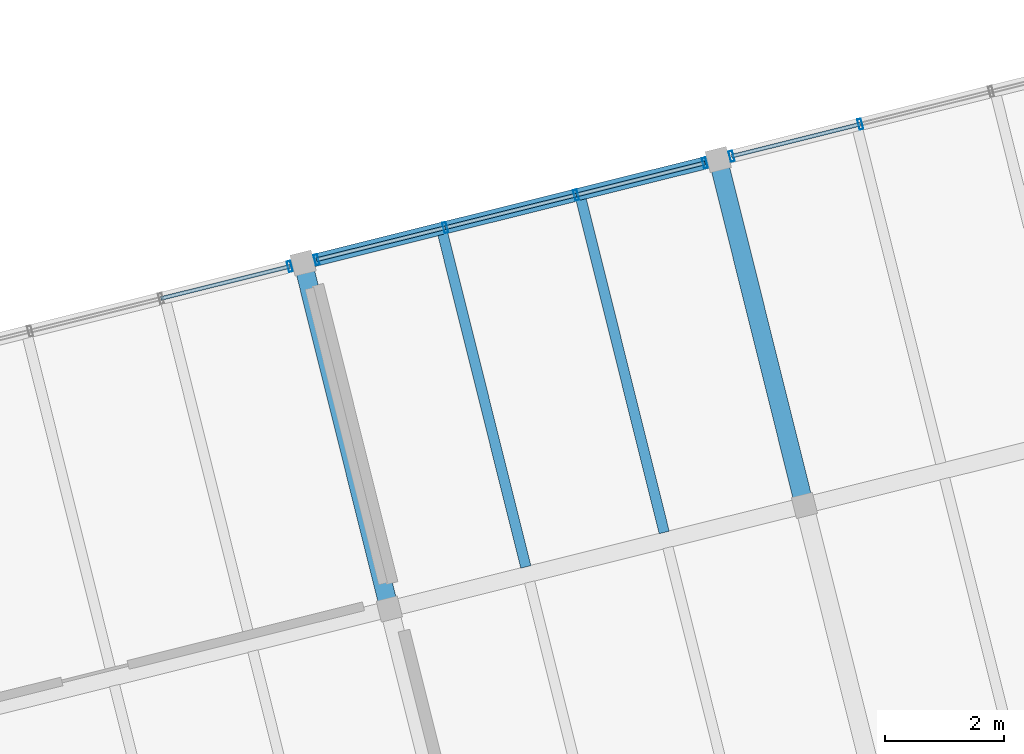
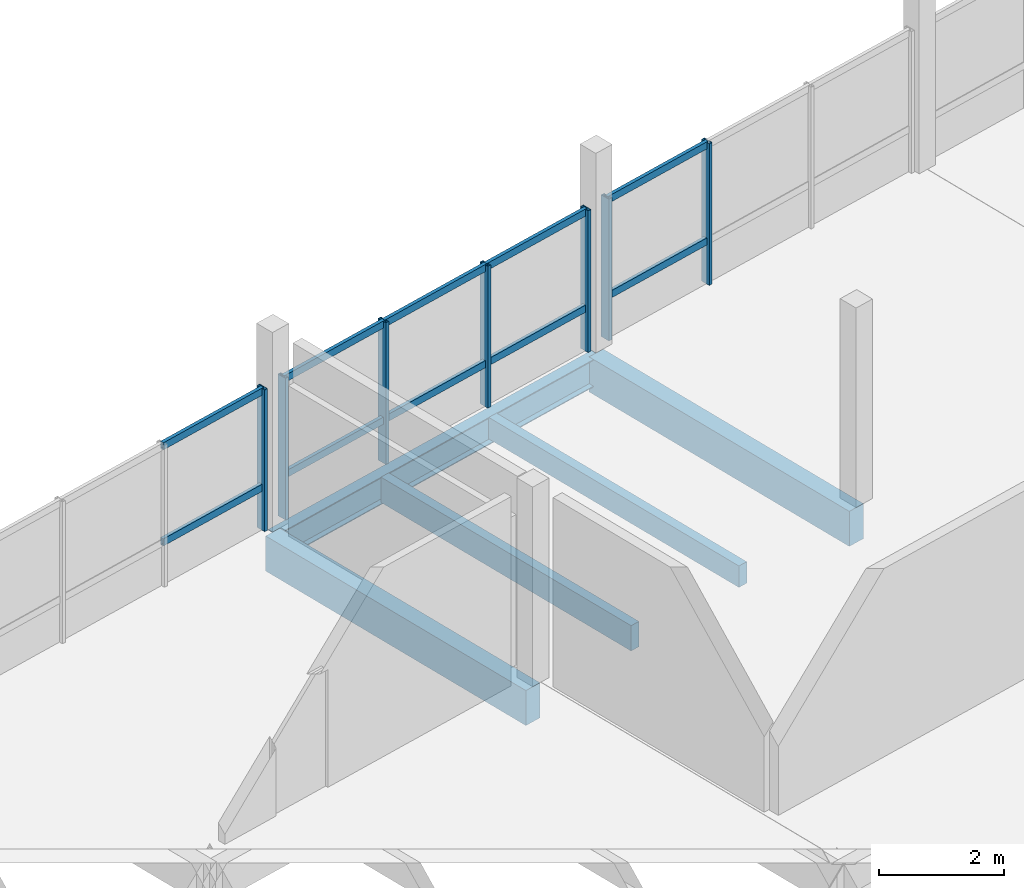
# One storey, part 16 of 26: 17 members, 5 beams, 3 elements without a shape of their own.
"""IFC4 building model written with IfcOpenShell, lengths in metres."""

from ifc_helpers import new_model, si_unit, direction, frame, origin, origin_2d, place, context, subcontext, project, spatial, rectangle, hollow_rectangle, i_section, extrude, material, layer, layer_set, material_profile, profile_set, type_object, element, aggregate, save


model = new_model("IFC4")

# Units and contexts
model_context = context("Model", 3, precision=1e-05, world=origin(), true_north=direction((0.0, 1.0)))
body_context = subcontext(model_context, "Body", "Model", "MODEL_VIEW")
ifc_project = project(units=[si_unit("LENGTHUNIT", "METRE"), si_unit("AREAUNIT", "SQUARE_METRE"), si_unit("VOLUMEUNIT", "CUBIC_METRE"), si_unit("PLANEANGLEUNIT", "RADIAN"), si_unit("MASSUNIT", "GRAM", prefix="KILO")], contexts=[model_context])

# Site, building, storey
site_placement = place(None, origin())
site = spatial("IfcSite", under=ifc_project, at=site_placement, CompositionType="ELEMENT")
building_placement = place(site_placement, origin())
building = spatial("IfcBuilding", under=site, at=building_placement, Name="Meriwether Solvik Hall", CompositionType="ELEMENT")
storey_placement = place(building_placement, frame((0.0, 0.0, 41.699951171875)))
storey = spatial("IfcBuildingStorey", under=building, at=storey_placement, Name="L10", CompositionType="ELEMENT", Elevation=41.699951171875)

# Beams
ifc_material_1 = material(Name="Glulam Douglas-Fir 24F-V8 GL28h", Category="wood")
ifc_material_profile_1 = material_profile(ifc_material_1, rectangle(XDim=0.31494140625, YDim=0.68505859375, at=origin_2d()), Name="GLB-315X685")
ifc_profile_set_1 = profile_set([ifc_material_profile_1], Name="Glulam Douglas-Fir 24F-V8 GL28h")
beam_type_1 = type_object("IfcBeamType", Name="BM-GL-315X685", PredefinedType="BEAM", material=ifc_profile_set_1)
for number, where, z_axis, x_axis, name in (
    (1, (76.1865234375, 71.94873046875, -0.5224609375), (-0.241903677572, 0.970300268359, 0.0), (-0.970300268359, -0.241903677572, 0.0), "Tower Girder T3:TE-TF (L10)"),
    (2, (83.172607421875, 73.690673828125, -0.5224609375), (-0.241903677572, 0.970300268359, 0.0), (-0.970300268359, -0.241903677572, 0.0), "Tower Girder T4:TE-TF (L10)"),
):
    element("IfcBeam", number, at=place(storey_placement, frame(where, z_axis=z_axis, x_axis=x_axis)), inside=storey, type_object=beam_type_1, Name=name, PredefinedType="BEAM", context=body_context, shape_type="SweptSolid", body=[
        extrude(rectangle(XDim=0.31494140625, YDim=0.68505859375, at=origin_2d()), origin(), (0.0, 0.0, 1.0), 6.0),
    ])
ifc_material_2 = material(Name="Steel A992 Grade 50", Category="steel")
ifc_material_profile_2 = material_profile(ifc_material_2, i_section(OverallWidth=0.2099609375, OverallDepth=0.537109375, WebThickness=0.010986328125, FlangeThickness=0.017333984375, at=origin_2d()), Name="W21X68")
ifc_profile_set_2 = profile_set([ifc_material_profile_2], Name="Steel A992 Grade 50")
beam_type_2 = type_object("IfcBeamType", Name="BM-STL-W21X68", PredefinedType="SPANDREL", material=ifc_profile_set_2)
beam_1_placement = place(storey_placement, frame((74.735107421875, 77.7705078125, -0.448486328125), z_axis=(0.970291911955, 0.241937193493, 0.0), x_axis=(-0.241937193493, 0.970291911955, 0.0)))
element("IfcBeam", 3, at=beam_1_placement, inside=storey, type_object=beam_type_2, Name="Tower Girder TF:T3-T4 (L10)", PredefinedType="SPANDREL", context=body_context, shape_type="SweptSolid", body=[
    extrude(i_section(OverallWidth=0.2099609375, OverallDepth=0.537109375, WebThickness=0.010986328125, FlangeThickness=0.017333984375, at=origin_2d()), origin(), (0.0, 0.0, 1.0), 7.199951171875),
])

# Curtain wall, member
ifc_material_3 = material(Name="Thermally Broken Anodised Aluminium 6063-T6 and Low-E Glass", Category="aluminium")
ifc_layer_1 = layer(ifc_material_3, 0.179931640625)
ifc_layer_set_1 = layer_set([ifc_layer_1], Name="Thermally Broken Anodised Aluminium 6063-T6 and Low-E Glass")
curtain_wall_type_1 = type_object("IfcCurtainWallType", Name="CW-UNIT-A", PredefinedType="USERDEFINED", material=ifc_layer_set_1)
curtain_wall_1_placement = place(storey_placement, origin())
curtain_wall_1 = element("IfcCurtainWall", 4, at=curtain_wall_1_placement, inside=storey, type_object=curtain_wall_type_1, Name="Curtain Wall E6_B1 (L10)", ObjectType="UNITISED CURTAIN WALL", PredefinedType="USERDEFINED")
ifc_material_4 = material(Name="Anodised Aluminium 6063-T6", Category="aluminium")
ifc_material_profile_3 = material_profile(ifc_material_4, hollow_rectangle(XDim=0.06494140625, YDim=0.179931640625, WallThickness=0.00439453125, at=origin_2d()), Name="CWM-65X180")
ifc_profile_set_3 = profile_set([ifc_material_profile_3], Name="Anodised Aluminium 6063-T6")
member_type_1 = type_object("IfcMemberType", Name="CW-MUL-65X180", PredefinedType="MULLION", material=ifc_profile_set_3)
member_1_placement = place(storey_placement, frame((74.509521484375, 77.71435546875, 0.0), z_axis=(0.0, 0.0, 1.0), x_axis=(0.970295725693, 0.241921897937, 0.0)))
member_1 = element("IfcMember", 5, at=member_1_placement, type_object=member_type_1, Name="Curtain Wall Mullion 4", PredefinedType="MULLION", context=body_context, shape_type="SweptSolid", body=[
    extrude(hollow_rectangle(XDim=0.06494140625, YDim=0.179931640625, WallThickness=0.00439453125, at=origin_2d()), origin(), (0.0, 0.0, 1.0), 2.77001953125),
])

# Curtain wall, members
ifc_material_5 = material(Name="Thermally Broken Anodised Aluminium 6063-T6 and Low-E Glass", Category="aluminium")
ifc_layer_2 = layer(ifc_material_5, 0.179931640625)
ifc_layer_set_2 = layer_set([ifc_layer_2], Name="Thermally Broken Anodised Aluminium 6063-T6 and Low-E Glass")
curtain_wall_type_2 = type_object("IfcCurtainWallType", Name="CW-UNIT-B", PredefinedType="USERDEFINED", material=ifc_layer_set_2)
curtain_wall_2_placement = place(storey_placement, origin())
curtain_wall_2 = element("IfcCurtainWall", 6, at=curtain_wall_2_placement, inside=storey, type_object=curtain_wall_type_2, Name="Curtain Wall E6_B2 (L10)", ObjectType="UNITISED CURTAIN WALL", PredefinedType="USERDEFINED")
member_2_placement = place(storey_placement, frame((74.960693359375, 77.82666015625, 0.0), z_axis=(0.0, 0.0, 1.0), x_axis=(0.970295725693, 0.241921897937, 0.0)))
member_2 = element("IfcMember", 7, at=member_2_placement, type_object=member_type_1, Name="Curtain Wall Mullion 1", PredefinedType="MULLION", context=body_context, shape_type="SweptSolid", body=[
    extrude(hollow_rectangle(XDim=0.06494140625, YDim=0.179931640625, WallThickness=0.00439453125, at=origin_2d()), origin(), (0.0, 0.0, 1.0), 2.77001953125),
])
member_3_placement = place(storey_placement, frame((77.126708984375, 78.36669921875, 0.0), z_axis=(0.0, 0.0, 1.0), x_axis=(0.970295725693, 0.241921897937, 0.0)))
member_3 = element("IfcMember", 8, at=member_3_placement, type_object=member_type_1, Name="Curtain Wall Mullion 2", PredefinedType="MULLION", context=body_context, shape_type="SweptSolid", body=[
    extrude(hollow_rectangle(XDim=0.06494140625, YDim=0.179931640625, WallThickness=0.00439453125, at=origin_2d()), origin(), (0.0, 0.0, 1.0), 2.77001953125),
])
member_4_placement = place(storey_placement, frame((79.32958984375, 78.916015625, 0.0), z_axis=(0.0, 0.0, 1.0), x_axis=(0.970295725693, 0.241921897937, 0.0)))
member_4 = element("IfcMember", 9, at=member_4_placement, type_object=member_type_1, Name="Curtain Wall Mullion 3", PredefinedType="MULLION", context=body_context, shape_type="SweptSolid", body=[
    extrude(hollow_rectangle(XDim=0.06494140625, YDim=0.179931640625, WallThickness=0.00439453125, at=origin_2d()), origin(), (0.0, 0.0, 1.0), 2.77001953125),
])
member_5_placement = place(storey_placement, frame((81.49560546875, 79.4560546875, 0.0), z_axis=(0.0, 0.0, 1.0), x_axis=(0.970295725693, 0.241921897937, 0.0)))
member_5 = element("IfcMember", 10, at=member_5_placement, type_object=member_type_1, Name="Curtain Wall Mullion 4", PredefinedType="MULLION", context=body_context, shape_type="SweptSolid", body=[
    extrude(hollow_rectangle(XDim=0.06494140625, YDim=0.179931640625, WallThickness=0.00439453125, at=origin_2d()), origin(), (0.0, 0.0, 1.0), 2.77001953125),
])

ifc_material_6 = material(Name="Thermally Broken Anodised Aluminium 6063-T6 and Low-E Glass", Category="aluminium")
ifc_layer_3 = layer(ifc_material_6, 0.179931640625)
ifc_layer_set_3 = layer_set([ifc_layer_3], Name="Thermally Broken Anodised Aluminium 6063-T6 and Low-E Glass")
curtain_wall_type_3 = type_object("IfcCurtainWallType", Name="CW-UNIT-C", PredefinedType="USERDEFINED", material=ifc_layer_set_3)
curtain_wall_3_placement = place(storey_placement, origin())
curtain_wall_3 = element("IfcCurtainWall", 11, at=curtain_wall_3_placement, inside=storey, type_object=curtain_wall_type_3, Name="Curtain Wall E6_B3 (L10)", ObjectType="UNITISED CURTAIN WALL", PredefinedType="USERDEFINED")
member_6_placement = place(storey_placement, frame((81.94677734375, 79.568603515625, 0.0), z_axis=(0.0, 0.0, 1.0), x_axis=(0.970295725693, 0.241921897937, 0.0)))
member_6 = element("IfcMember", 12, at=member_6_placement, type_object=member_type_1, Name="Curtain Wall Mullion 1", PredefinedType="MULLION", context=body_context, shape_type="SweptSolid", body=[
    extrude(hollow_rectangle(XDim=0.06494140625, YDim=0.179931640625, WallThickness=0.00439453125, at=origin_2d()), origin(), (0.0, 0.0, 1.0), 2.77001953125),
])
member_7_placement = place(storey_placement, frame((84.11279296875, 80.108642578125, 0.0), z_axis=(0.0, 0.0, 1.0), x_axis=(0.970295725693, 0.241921897937, 0.0)))
member_7 = element("IfcMember", 13, at=member_7_placement, type_object=member_type_1, Name="Curtain Wall Mullion 2", PredefinedType="MULLION", context=body_context, shape_type="SweptSolid", body=[
    extrude(hollow_rectangle(XDim=0.06494140625, YDim=0.179931640625, WallThickness=0.00439453125, at=origin_2d()), origin(), (0.0, 0.0, 1.0), 2.77001953125),
])

# Member
ifc_material_7 = material(Name="Anodised Aluminium 6063-T6", Category="aluminium")
ifc_material_profile_4 = material_profile(ifc_material_7, hollow_rectangle(XDim=0.06494140625, YDim=0.139892578125, WallThickness=0.00439453125, at=origin_2d()), Name="CWT-65X140")
ifc_profile_set_4 = profile_set([ifc_material_profile_4], Name="Anodised Aluminium 6063-T6")
member_type_2 = type_object("IfcMemberType", Name="CW-TRN-65X140", PredefinedType="USERDEFINED", material=ifc_profile_set_4)
member_8_placement = place(storey_placement, frame((72.343505859375, 77.17431640625, 0.8310546875), z_axis=(0.970296702868, 0.241917978668, 0.0), x_axis=(-0.241917978668, 0.970296702868, 0.0)))
member_8 = element("IfcMember", 14, at=member_8_placement, type_object=member_type_2, Name="Curtain Wall Transom 3-sill", ObjectType="TRANSOM", PredefinedType="USERDEFINED", context=body_context, shape_type="SweptSolid", body=[
    extrude(hollow_rectangle(XDim=0.06494140625, YDim=0.139892578125, WallThickness=0.00439453125, at=origin_2d()), origin(), (0.0, 0.0, 1.0), 2.232421875),
])

member_9_placement = place(storey_placement, frame((72.343505859375, 77.17431640625, 2.7099609375), z_axis=(0.970296702868, 0.241917978668, 0.0), x_axis=(-0.241917978668, 0.970296702868, 0.0)))
member_9 = element("IfcMember", 15, at=member_9_placement, type_object=member_type_2, Name="Curtain Wall Transom 3-head", ObjectType="TRANSOM", PredefinedType="USERDEFINED", context=body_context, shape_type="SweptSolid", body=[
    extrude(hollow_rectangle(XDim=0.06494140625, YDim=0.139892578125, WallThickness=0.00439453125, at=origin_2d()), origin(), (0.0, 0.0, 1.0), 2.232421875),
])

aggregate(curtain_wall_1, [member_1, member_8, member_9])

member_10_placement = place(storey_placement, frame((74.960693359375, 77.82666015625, 0.8310546875), z_axis=(0.970296702868, 0.241917978668, 0.0), x_axis=(-0.241917978668, 0.970296702868, 0.0)))
member_10 = element("IfcMember", 16, at=member_10_placement, type_object=member_type_2, Name="Curtain Wall Transom 1-sill", ObjectType="TRANSOM", PredefinedType="USERDEFINED", context=body_context, shape_type="SweptSolid", body=[
    extrude(hollow_rectangle(XDim=0.06494140625, YDim=0.139892578125, WallThickness=0.00439453125, at=origin_2d()), origin(), (0.0, 0.0, 1.0), 2.232421875),
])

member_11_placement = place(storey_placement, frame((74.960693359375, 77.82666015625, 2.7099609375), z_axis=(0.970296702868, 0.241917978668, 0.0), x_axis=(-0.241917978668, 0.970296702868, 0.0)))
member_11 = element("IfcMember", 17, at=member_11_placement, type_object=member_type_2, Name="Curtain Wall Transom 1-head", ObjectType="TRANSOM", PredefinedType="USERDEFINED", context=body_context, shape_type="SweptSolid", body=[
    extrude(hollow_rectangle(XDim=0.06494140625, YDim=0.139892578125, WallThickness=0.00439453125, at=origin_2d()), origin(), (0.0, 0.0, 1.0), 2.232421875),
])

member_12_placement = place(storey_placement, frame((77.126708984375, 78.36669921875, 0.8310546875), z_axis=(0.970287814054, 0.241953627576, 0.0), x_axis=(-0.241953627576, 0.970287814054, 0.0)))
member_12 = element("IfcMember", 18, at=member_12_placement, type_object=member_type_2, Name="Curtain Wall Transom 2-sill", ObjectType="TRANSOM", PredefinedType="USERDEFINED", context=body_context, shape_type="SweptSolid", body=[
    extrude(hollow_rectangle(XDim=0.06494140625, YDim=0.139892578125, WallThickness=0.00439453125, at=origin_2d()), origin(), (0.0, 0.0, 1.0), 2.270263671875),
])

member_13_placement = place(storey_placement, frame((77.126708984375, 78.36669921875, 2.7099609375), z_axis=(0.970287814054, 0.241953627576, 0.0), x_axis=(-0.241953627576, 0.970287814054, 0.0)))
member_13 = element("IfcMember", 19, at=member_13_placement, type_object=member_type_2, Name="Curtain Wall Transom 2-head", ObjectType="TRANSOM", PredefinedType="USERDEFINED", context=body_context, shape_type="SweptSolid", body=[
    extrude(hollow_rectangle(XDim=0.06494140625, YDim=0.139892578125, WallThickness=0.00439453125, at=origin_2d()), origin(), (0.0, 0.0, 1.0), 2.270263671875),
])

member_14_placement = place(storey_placement, frame((79.32958984375, 78.916015625, 0.8310546875), z_axis=(0.970296702868, 0.241917978668, 0.0), x_axis=(-0.241917978668, 0.970296702868, 0.0)))
member_14 = element("IfcMember", 20, at=member_14_placement, type_object=member_type_2, Name="Curtain Wall Transom 3-sill", ObjectType="TRANSOM", PredefinedType="USERDEFINED", context=body_context, shape_type="SweptSolid", body=[
    extrude(hollow_rectangle(XDim=0.06494140625, YDim=0.139892578125, WallThickness=0.00439453125, at=origin_2d()), origin(), (0.0, 0.0, 1.0), 2.232421875),
])

member_15_placement = place(storey_placement, frame((79.32958984375, 78.916015625, 2.7099609375), z_axis=(0.970296702868, 0.241917978668, 0.0), x_axis=(-0.241917978668, 0.970296702868, 0.0)))
member_15 = element("IfcMember", 21, at=member_15_placement, type_object=member_type_2, Name="Curtain Wall Transom 3-head", ObjectType="TRANSOM", PredefinedType="USERDEFINED", context=body_context, shape_type="SweptSolid", body=[
    extrude(hollow_rectangle(XDim=0.06494140625, YDim=0.139892578125, WallThickness=0.00439453125, at=origin_2d()), origin(), (0.0, 0.0, 1.0), 2.232421875),
])

aggregate(curtain_wall_2, [member_2, member_3, member_4, member_5, member_10, member_11, member_12, member_13, member_14, member_15])

member_16_placement = place(storey_placement, frame((81.94677734375, 79.568603515625, 0.8310546875), z_axis=(0.970296702868, 0.241917978668, 0.0), x_axis=(-0.241917978668, 0.970296702868, 0.0)))
member_16 = element("IfcMember", 22, at=member_16_placement, type_object=member_type_2, Name="Curtain Wall Transom 1-sill", ObjectType="TRANSOM", PredefinedType="USERDEFINED", context=body_context, shape_type="SweptSolid", body=[
    extrude(hollow_rectangle(XDim=0.06494140625, YDim=0.139892578125, WallThickness=0.00439453125, at=origin_2d()), origin(), (0.0, 0.0, 1.0), 2.232421875),
])

member_17_placement = place(storey_placement, frame((81.94677734375, 79.568603515625, 2.7099609375), z_axis=(0.970296702868, 0.241917978668, 0.0), x_axis=(-0.241917978668, 0.970296702868, 0.0)))
member_17 = element("IfcMember", 23, at=member_17_placement, type_object=member_type_2, Name="Curtain Wall Transom 1-head", ObjectType="TRANSOM", PredefinedType="USERDEFINED", context=body_context, shape_type="SweptSolid", body=[
    extrude(hollow_rectangle(XDim=0.06494140625, YDim=0.139892578125, WallThickness=0.00439453125, at=origin_2d()), origin(), (0.0, 0.0, 1.0), 2.232421875),
])

aggregate(curtain_wall_3, [member_6, member_7, member_16, member_17])

# Beams
ifc_material_8 = material(Name="Glulam Douglas-Fir 24F-V8 GL28h", Category="wood")
ifc_material_profile_5 = material_profile(ifc_material_8, rectangle(XDim=0.175048828125, YDim=0.419921875, at=origin_2d()), Name="GLJ-175X420")
ifc_profile_set_5 = profile_set([ifc_material_profile_5], Name="Glulam Douglas-Fir 24F-V8 GL28h")
beam_type_3 = type_object("IfcBeamType", Name="JST-GL-175X420", PredefinedType="JOIST", material=ifc_profile_set_5)
beam_2_placement = place(storey_placement, frame((80.812255859375, 73.237548828125, -0.389892578125), z_axis=(-0.241918158317, 0.970296658078, 0.0), x_axis=(-0.970296658078, -0.241918158317, 0.0)))
element("IfcBeam", 24, at=beam_2_placement, inside=storey, type_object=beam_type_3, Name="Glulam Floor Joist T3/TE-J2 (L10)", PredefinedType="JOIST", context=body_context, shape_type="SweptSolid", body=[
    extrude(rectangle(XDim=0.175048828125, YDim=0.419921875, at=origin_2d()), origin(), (0.0, 0.0, 1.0), 5.7685546875),
])
ifc_material_9 = material(Name="Glulam Douglas-Fir 24F-V8 GL28h", Category="wood")
ifc_material_profile_6 = material_profile(ifc_material_9, rectangle(XDim=0.175048828125, YDim=0.4951171875, at=origin_2d()), Name="GLJ-175X495")
ifc_profile_set_6 = profile_set([ifc_material_profile_6], Name="Glulam Douglas-Fir 24F-V8 GL28h")
beam_type_4 = type_object("IfcBeamType", Name="JST-GL-175X495", PredefinedType="JOIST", material=ifc_profile_set_6)
beam_3_placement = place(storey_placement, frame((78.4833984375, 72.656982421875, -0.427490234375), z_axis=(-0.241918158317, 0.970296658078, 0.0), x_axis=(-0.970296658078, -0.241918158317, 0.0)))
element("IfcBeam", 25, at=beam_3_placement, inside=storey, type_object=beam_type_4, Name="Glulam Floor Joist T3/TE-J1 (L10)", PredefinedType="JOIST", context=body_context, shape_type="SweptSolid", body=[
    extrude(rectangle(XDim=0.175048828125, YDim=0.4951171875, at=origin_2d()), origin(), (0.0, 0.0, 1.0), 5.7685546875),
])

save(model, "model.ifc")
